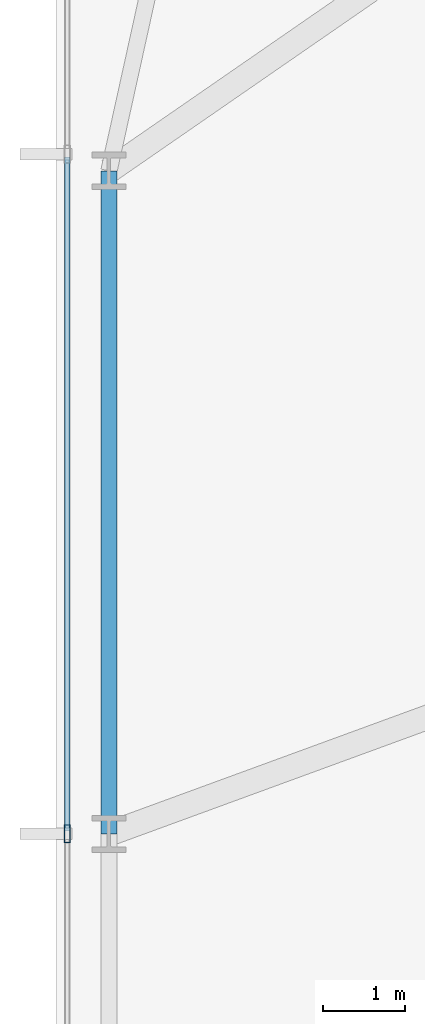
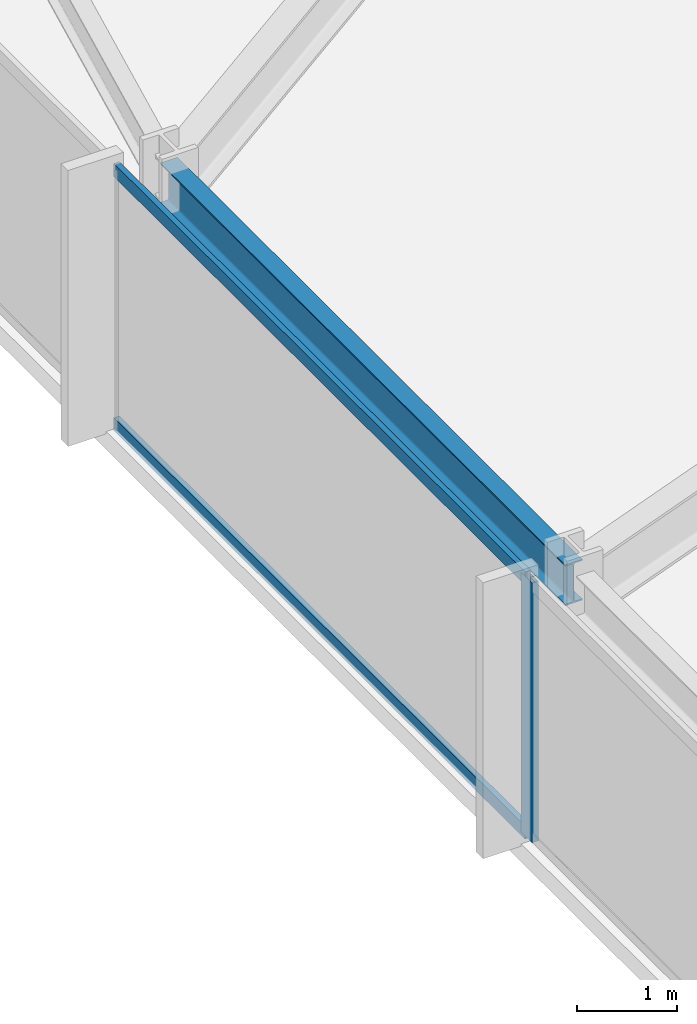
# One storey, part 7 of 32: 3 members, 1 beam, 1 element without a shape of its own.
"""IFC4 building model written with IfcOpenShell, lengths in metres."""

from ifc_helpers import new_model, si_unit, direction, frame, origin, origin_2d, place, context, subcontext, project, spatial, hollow_rectangle, i_section, extrude, material, material_profile, profile_set, type_object, element, aggregate, save


model = new_model("IFC4")

# Units and contexts
model_context = context("Model", 3, precision=1e-05, world=origin(), true_north=direction((0.0, 1.0)))
body_context = subcontext(model_context, "Body", "Model", "MODEL_VIEW")
ifc_project = project(units=[si_unit("LENGTHUNIT", "METRE"), si_unit("AREAUNIT", "SQUARE_METRE"), si_unit("VOLUMEUNIT", "CUBIC_METRE"), si_unit("PLANEANGLEUNIT", "RADIAN"), si_unit("MASSUNIT", "GRAM", prefix="KILO")], contexts=[model_context])

# Site, building, storey
site_placement = place(None, origin())
site = spatial("IfcSite", under=ifc_project, at=site_placement, CompositionType="ELEMENT")
building_placement = place(site_placement, origin())
building = spatial("IfcBuilding", under=site, at=building_placement, Name="Yelkora Congress Tower", CompositionType="ELEMENT")
storey_placement = place(building_placement, frame((0.0, 0.0, 50.800048828125)))
storey = spatial("IfcBuildingStorey", under=building, at=storey_placement, Name="L12", CompositionType="ELEMENT", Elevation=50.800048828125)

# Beam
ifc_material_1 = material(Name="Steel S355J2", Category="steel")
ifc_material_profile_1 = material_profile(ifc_material_1, i_section(OverallWidth=0.199951171875, OverallDepth=0.5, WebThickness=0.01025390625, FlangeThickness=0.01611328125, FilletRadius=0.02099609375, at=origin_2d()), Name="IPE 500")
ifc_profile_set_1 = profile_set([ifc_material_profile_1], Name="Steel S355J2")
beam_type = type_object("IfcBeamType", Name="BM-SPAN-IPE500", PredefinedType="SPANDREL", material=ifc_profile_set_1)
beam_placement = place(storey_placement, frame((6.64990234375, 37.52490234375, 2.929931640625), z_axis=(0.0, -1.0, 0.0), x_axis=(1.0, 0.0, 0.0)))
element("IfcBeam", 1, at=beam_placement, inside=storey, type_object=beam_type, Name="L12 Perimeter Beam 18", PredefinedType="SPANDREL", context=body_context, shape_type="SweptSolid", body=[
    extrude(i_section(OverallWidth=0.199951171875, OverallDepth=0.5, WebThickness=0.01025390625, FlangeThickness=0.01611328125, FilletRadius=0.02099609375, at=origin_2d()), origin(), (0.0, 0.0, 1.0), 8.125),
])

# Curtain wall, members
ifc_material_2 = material(Name="Anodised aluminium and insulated glass", Category="aluminium")
curtain_wall_type = type_object("IfcCurtainWallType", Name="CW-SYS-B1", PredefinedType="NOTDEFINED", material=ifc_material_2)
curtain_wall_placement = place(storey_placement, origin())
curtain_wall = element("IfcCurtainWall", 2, at=curtain_wall_placement, inside=storey, type_object=curtain_wall_type, Name="L12 Unitised Curtain Wall 5", PredefinedType="NOTDEFINED")
ifc_material_3 = material(Name="Anodised aluminium 6063-T6", Category="aluminium")
ifc_material_profile_2 = material_profile(ifc_material_3, hollow_rectangle(XDim=0.074951171875, YDim=0.219970703125, WallThickness=0.0048828125, at=origin_2d()), Name="ALU 75x220x5")
ifc_profile_set_2 = profile_set([ifc_material_profile_2], Name="Anodised aluminium 6063-T6")
member_type_1 = type_object("IfcMemberType", Name="MEM-ML-B1", PredefinedType="MULLION", material=ifc_profile_set_2)
member_1_placement = place(storey_placement, frame((6.139892578125, 29.39990234375, 0.0), z_axis=(0.0, 0.0, 1.0), x_axis=(-1.0, 0.0, 0.0)))
member_1 = element("IfcMember", 3, at=member_1_placement, type_object=member_type_1, Name="CW-B1 mullion 3", PredefinedType="MULLION", context=body_context, shape_type="SweptSolid", body=[
    extrude(hollow_rectangle(XDim=0.074951171875, YDim=0.219970703125, WallThickness=0.0048828125, at=origin_2d()), origin(), (0.0, 0.0, 1.0), 3.179931640625),
])
ifc_material_profile_3 = material_profile(ifc_material_3, hollow_rectangle(XDim=0.06494140625, YDim=0.159912109375, WallThickness=0.00390625, at=origin_2d()), Name="ALU 65x160x4")
ifc_profile_set_3 = profile_set([ifc_material_profile_3], Name="Anodised aluminium 6063-T6")
member_type_2 = type_object("IfcMemberType", Name="MEM-TR-B1", PredefinedType="USERDEFINED", material=ifc_profile_set_3)
member_2_placement = place(storey_placement, frame((6.139892578125, 29.4375, 0.032470703125), z_axis=(0.0, 1.0, 0.0), x_axis=(-1.0, 0.0, 0.0)))
member_2 = element("IfcMember", 4, at=member_2_placement, type_object=member_type_2, Name="CW-B1 transom 3.1", ObjectType="TRANSOM", PredefinedType="USERDEFINED", context=body_context, shape_type="SweptSolid", body=[
    extrude(hollow_rectangle(XDim=0.06494140625, YDim=0.159912109375, WallThickness=0.00390625, at=origin_2d()), origin(), (0.0, 0.0, 1.0), 8.2548828125),
])
member_3_placement = place(storey_placement, frame((6.139892578125, 29.4375, 3.1474609375), z_axis=(0.0, 1.0, 0.0), x_axis=(-1.0, 0.0, 0.0)))
member_3 = element("IfcMember", 5, at=member_3_placement, type_object=member_type_2, Name="CW-B1 transom 3.2", ObjectType="TRANSOM", PredefinedType="USERDEFINED", context=body_context, shape_type="SweptSolid", body=[
    extrude(hollow_rectangle(XDim=0.06494140625, YDim=0.159912109375, WallThickness=0.00390625, at=origin_2d()), origin(), (0.0, 0.0, 1.0), 8.2548828125),
])
aggregate(curtain_wall, [member_1, member_2, member_3])

save(model, "model.ifc")
